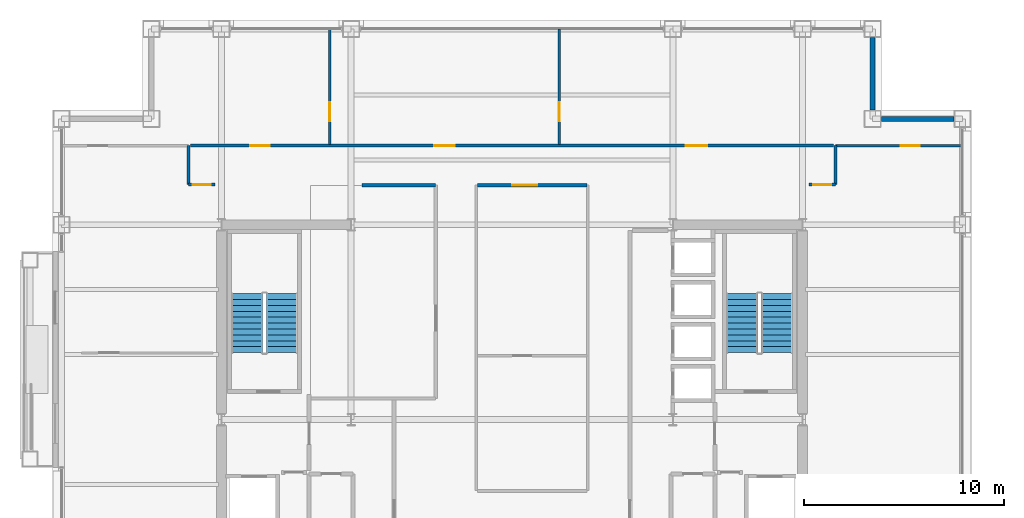
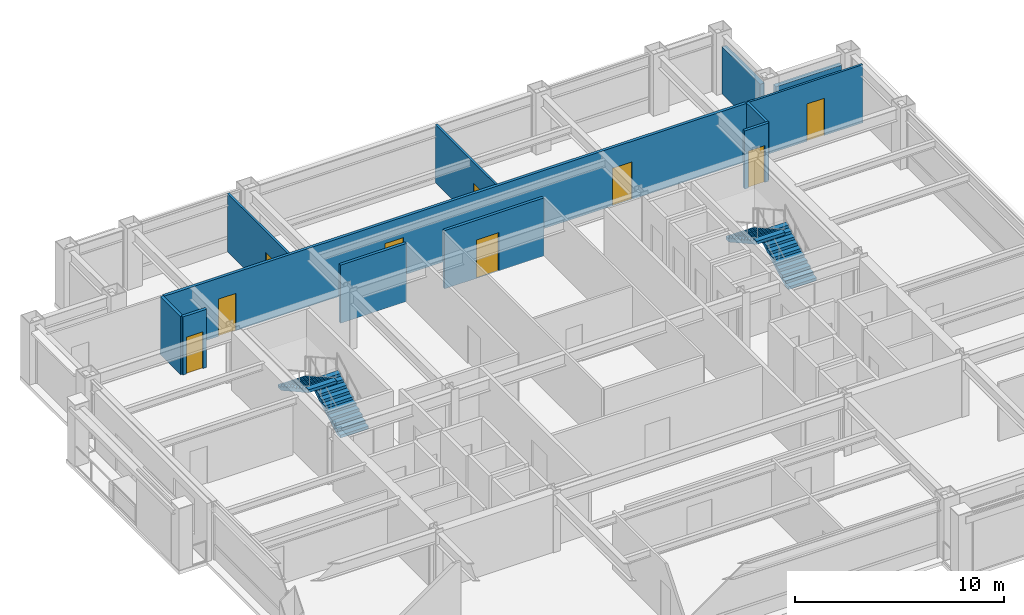
# One storey, part 28 of 31: 12 walls, 9 doors, 4 stair flights, 9 openings, 2 elements without a shape of their own.
"""IFC4 building model written with IfcOpenShell, lengths in metres."""

from ifc_helpers import new_model, si_unit, direction, frame, frame_2d, origin, place, context, subcontext, project, spatial, polyline, rectangle, outline, extrude, material, layer, layer_set, type_object, element, fill, aggregate, save


model = new_model("IFC4")

# Units and contexts
model_context = context("Model", 3, precision=1e-05, world=origin(), true_north=direction((0.0, 1.0)))
body_context = subcontext(model_context, "Body", "Model", "MODEL_VIEW")
ifc_project = project(units=[si_unit("LENGTHUNIT", "METRE"), si_unit("AREAUNIT", "SQUARE_METRE"), si_unit("VOLUMEUNIT", "CUBIC_METRE"), si_unit("PLANEANGLEUNIT", "RADIAN"), si_unit("MASSUNIT", "GRAM", prefix="KILO")], contexts=[model_context])

# Site, building, storey
site_placement = place(None, origin())
site = spatial("IfcSite", under=ifc_project, at=site_placement, CompositionType="ELEMENT")
building_placement = place(site_placement, origin())
building = spatial("IfcBuilding", under=site, at=building_placement, Name="Brelmoor Portico Tower", CompositionType="ELEMENT")
storey_placement = place(building_placement, frame((0.0, 0.0, 113.39990234375)))
storey = spatial("IfcBuildingStorey", under=building, at=storey_placement, Name="L29", CompositionType="ELEMENT", Elevation=113.39990234375)

# Walls
ifc_material_1 = material(Name="Precast Concrete C40 Insulated Facade Wall", Category="concrete")
ifc_layer_1 = layer(ifc_material_1, 0.25)
ifc_layer_set_1 = layer_set([ifc_layer_1], Name="Precast Concrete C40 Insulated Facade Wall")
wall_type_1 = type_object("IfcWallType", Name="WL-EXT-250", PredefinedType="STANDARD", material=ifc_layer_set_1)
for number, where, z_axis, x_axis, name in (
    (1, (18.485107421875, 15.050048828125, 0.0), (0.0, 0.0, 1.0), (1.0, 0.0, 0.0), "L29 Corner Notch Facade Wall NNEH1"),
    (2, (18.050048828125, 15.485107421875, 0.0), (0.0, 0.0, 1.0), (0.0, 1.0, 0.0), "L29 Corner Notch Facade Wall NNEV1"),
):
    element("IfcWall", number, at=place(storey_placement, frame(where, z_axis=z_axis, x_axis=x_axis)), inside=storey, type_object=wall_type_1, Name=name, PredefinedType="STANDARD", context=body_context, shape_type="SweptSolid", body=[
        extrude(rectangle(XDim=3.6298828125, YDim=0.25, at=frame_2d((1.81494140625, 0.0))), origin(), (0.0, 0.0, 1.0), 2.75),
    ])

# Wall, opening, door
ifc_material_2 = material(Name="Lightweight Gypsum Office Partition", Category="gypsum")
ifc_layer_2 = layer(ifc_material_2, 0.1201171875)
ifc_layer_set_2 = layer_set([ifc_layer_2], Name="Lightweight Gypsum Office Partition")
wall_type_2 = type_object("IfcWallType", Name="WL-PART-120", PredefinedType="PARTITIONING", material=ifc_layer_set_2)
wall_1_placement = place(storey_placement, frame((-9.13134765625, 13.77001953125, 0.0), z_axis=(0.0, 0.0, 1.0), x_axis=(0.0, 1.0, 0.0)))
wall_1 = element("IfcWall", 3, at=wall_1_placement, inside=storey, type_object=wall_type_2, Name="L29 North Suite Partition 1", PredefinedType="PARTITIONING", context=body_context, shape_type="SweptSolid", body=[
    extrude(rectangle(XDim=5.7900390625, YDim=0.1201171875, at=frame_2d((2.89501953125, 0.0))), origin(), (0.0, 0.0, 1.0), 3.400146484375),
])
opening_1_placement = place(wall_1_placement, frame((1.14990234375, 0.0, 0.0)))
opening_1 = element("IfcOpeningElement", 4, at=opening_1_placement, cuts=wall_1, Name="Opening D-IN2", PredefinedType="OPENING", context=body_context, shape_type="SweptSolid", body=[
    extrude(rectangle(XDim=0.9599609375, YDim=2.179931640625, at=frame_2d((0.47998046875, 1.08984375))), frame((0.0, 0.070068359375, 0.0), z_axis=(0.0, -1.0, 0.0), x_axis=(1.0, 0.0, 0.0)), (0.0, 0.0, 1.0), 0.14013671875),
])
ifc_material_3 = material(Name="Lacquered Timber Suite Door", Category="wood")
door_type_1 = type_object("IfcDoorType", Name="DR-INT-950", OperationType="NOTDEFINED", PredefinedType="DOOR", material=ifc_material_3)
door_1_placement = place(opening_1_placement, origin())
door_1 = element("IfcDoor", 5, at=door_1_placement, inside=storey, type_object=door_type_1, Name="D-1283 L29 North Suite Connecting Door 1", OperationType="SINGLE_SWING_RIGHT", OverallHeight=2.179931640625, OverallWidth=0.9599609375, PredefinedType="DOOR", context=body_context, shape_type="SweptSolid", body=[
    extrude(rectangle(XDim=0.9599609375, YDim=2.179931640625, at=frame_2d((0.47998046875, 1.08984375))), frame((0.0, 0.02490234375, 0.0), z_axis=(0.0, -1.0, 0.0), x_axis=(1.0, 0.0, 0.0)), (0.0, 0.0, 1.0), 0.050048828125),
])
fill(opening_1, door_1)

wall_2_placement = place(storey_placement, frame((2.367431640625, 13.77001953125, 0.0), z_axis=(0.0, 0.0, 1.0), x_axis=(0.0, 1.0, 0.0)))
wall_2 = element("IfcWall", 6, at=wall_2_placement, inside=storey, type_object=wall_type_2, Name="L29 North Suite Partition 2", PredefinedType="PARTITIONING", context=body_context, shape_type="SweptSolid", body=[
    extrude(rectangle(XDim=5.7900390625, YDim=0.1201171875, at=frame_2d((2.89501953125, 0.0))), origin(), (0.0, 0.0, 1.0), 3.400146484375),
])
opening_2_placement = place(wall_2_placement, frame((1.14990234375, 0.0, 0.0)))
opening_2 = element("IfcOpeningElement", 7, at=opening_2_placement, cuts=wall_2, Name="Opening D-IN2", PredefinedType="OPENING", context=body_context, shape_type="SweptSolid", body=[
    extrude(rectangle(XDim=0.9599609375, YDim=2.179931640625, at=frame_2d((0.47998046875, 1.08984375))), frame((0.0, 0.070068359375, 0.0), z_axis=(0.0, -1.0, 0.0), x_axis=(1.0, 0.0, 0.0)), (0.0, 0.0, 1.0), 0.14013671875),
])
door_2_placement = place(opening_2_placement, origin())
door_2 = element("IfcDoor", 8, at=door_2_placement, inside=storey, type_object=door_type_1, Name="D-1284 L29 North Suite Connecting Door 2", OperationType="SINGLE_SWING_LEFT", OverallHeight=2.179931640625, OverallWidth=0.9599609375, PredefinedType="DOOR", context=body_context, shape_type="SweptSolid", body=[
    extrude(rectangle(XDim=0.9599609375, YDim=2.179931640625, at=frame_2d((0.47998046875, 1.08984375))), frame((0.0, 0.02490234375, 0.0), z_axis=(0.0, -1.0, 0.0), x_axis=(1.0, 0.0, 0.0)), (0.0, 0.0, 1.0), 0.050048828125),
])
fill(opening_2, door_2)

wall_3_placement = place(storey_placement, frame((16.199951171875, 13.7099609375, 0.0), z_axis=(0.0, 0.0, 1.0), x_axis=(1.0, 0.0, 0.0)))
wall_3 = element("IfcWall", 9, at=wall_3_placement, inside=storey, type_object=wall_type_2, Name="L29 North Wing Closure ER", PredefinedType="PARTITIONING", context=body_context, shape_type="SweptSolid", body=[
    extrude(rectangle(XDim=6.360107421875, YDim=0.1201171875, at=frame_2d((3.18017578125, 0.0))), origin(), (0.0, 0.0, 1.0), 3.400146484375),
])
opening_3_placement = place(wall_3_placement, frame((3.260009765625, 0.0, 0.0)))
opening_3 = element("IfcOpeningElement", 10, at=opening_3_placement, cuts=wall_3, Name="Opening D-IN2", PredefinedType="OPENING", context=body_context, shape_type="SweptSolid", body=[
    extrude(rectangle(XDim=0.9599609375, YDim=2.179931640625, at=frame_2d((0.47998046875, 1.08984375))), frame((0.0, 0.070068359375, 0.0), z_axis=(0.0, -1.0, 0.0), x_axis=(1.0, 0.0, 0.0)), (0.0, 0.0, 1.0), 0.14013671875),
])
door_3_placement = place(opening_3_placement, origin())
door_3 = element("IfcDoor", 11, at=door_3_placement, inside=storey, type_object=door_type_1, Name="D-1285 L29 ER Wing North Suite Door", OperationType="SINGLE_SWING_RIGHT", OverallHeight=2.179931640625, OverallWidth=0.9599609375, PredefinedType="DOOR", context=body_context, shape_type="SweptSolid", body=[
    extrude(rectangle(XDim=0.9599609375, YDim=2.179931640625, at=frame_2d((0.47998046875, 1.08984375))), frame((0.0, 0.02490234375, 0.0), z_axis=(0.0, -1.0, 0.0), x_axis=(1.0, 0.0, 0.0)), (0.0, 0.0, 1.0), 0.050048828125),
])
fill(opening_3, door_3)

# Wall
ifc_material_4 = material(Name="Twin-Frame Acoustic Partition", Category="gypsum")
ifc_layer_3 = layer(ifc_material_4, 0.159912109375)
ifc_layer_set_3 = layer_set([ifc_layer_3], Name="Twin-Frame Acoustic Partition")
wall_type_3 = type_object("IfcWallType", Name="WL-PART-160", PredefinedType="PARTITIONING", material=ifc_layer_set_3)
wall_4_placement = place(storey_placement, frame((-7.5, 11.72998046875, 0.0), z_axis=(0.0, 0.0, 1.0), x_axis=(1.0, 0.0, 0.0)))
element("IfcWall", 12, at=wall_4_placement, inside=storey, type_object=wall_type_3, Name="L29 Reclaimed West Suite North Wall", PredefinedType="PARTITIONING", context=body_context, shape_type="SweptSolid", body=[
    extrude(rectangle(XDim=3.659912109375, YDim=0.159912109375, at=frame_2d((1.830078125, 0.0))), origin(), (0.0, 0.0, 1.0), 3.400146484375),
])

# Wall, opening, door
wall_5_placement = place(storey_placement, frame((-1.72998046875, 11.72998046875, 0.0), z_axis=(0.0, 0.0, 1.0), x_axis=(1.0, 0.0, 0.0)))
wall_5 = element("IfcWall", 13, at=wall_5_placement, inside=storey, type_object=wall_type_3, Name="L29 Central Meeting North Wall", PredefinedType="PARTITIONING", context=body_context, shape_type="SweptSolid", body=[
    extrude(rectangle(XDim=5.47998046875, YDim=0.159912109375, at=frame_2d((2.739990234375, 0.0))), origin(), (0.0, 0.0, 1.0), 3.400146484375),
])
opening_4_placement = place(wall_5_placement, frame((1.75, 0.0, 0.0)))
opening_4 = element("IfcOpeningElement", 14, at=opening_4_placement, cuts=wall_5, Name="Opening D-SU1", PredefinedType="OPENING", context=body_context, shape_type="SweptSolid", body=[
    extrude(rectangle(XDim=1.239990234375, YDim=2.239990234375, at=frame_2d((0.6201171875, 1.1201171875))), frame((0.0, 0.08984375, 0.0), z_axis=(0.0, -1.0, 0.0), x_axis=(1.0, 0.0, 0.0)), (0.0, 0.0, 1.0), 0.179931640625),
])
ifc_material_5 = material(Name="Glazed Timber Executive Suite Door", Category="wood")
door_type_2 = type_object("IfcDoorType", Name="DR-SUITE-1200", OperationType="NOTDEFINED", PredefinedType="DOOR", material=ifc_material_5)
door_4_placement = place(opening_4_placement, origin())
door_4 = element("IfcDoor", 15, at=door_4_placement, inside=storey, type_object=door_type_2, Name="D-1266 L29 Client Meeting Room Door", OperationType="SINGLE_SWING_LEFT", OverallHeight=2.239990234375, OverallWidth=1.239990234375, PredefinedType="DOOR", context=body_context, shape_type="SweptSolid", body=[
    extrude(rectangle(XDim=1.239990234375, YDim=2.239990234375, at=frame_2d((0.6201171875, 1.1201171875))), frame((0.0, 0.02490234375, 0.0), z_axis=(0.0, -1.0, 0.0), x_axis=(1.0, 0.0, 0.0)), (0.0, 0.0, 1.0), 0.050048828125),
])
fill(opening_4, door_4)

# Wall, openings, doors
wall_6_placement = place(storey_placement, frame((-16.10009765625, 13.7099609375, 0.0), z_axis=(0.0, 0.0, 1.0), x_axis=(1.0, 0.0, 0.0)))
wall_6 = element("IfcWall", 16, at=wall_6_placement, inside=storey, type_object=wall_type_3, Name="L29 North Corridor Partition", PredefinedType="PARTITIONING", context=body_context, shape_type="SweptSolid", body=[
    extrude(rectangle(XDim=32.2001953125, YDim=0.159912109375, at=frame_2d((16.10009765625, 0.0))), origin(), (0.0, 0.0, 1.0), 3.400146484375),
])
opening_5_placement = place(wall_6_placement, frame((3.00439453125, 0.0, 0.0)))
opening_5 = element("IfcOpeningElement", 17, at=opening_5_placement, cuts=wall_6, Name="Opening D-IN2", PredefinedType="OPENING", context=body_context, shape_type="SweptSolid", body=[
    extrude(rectangle(XDim=0.9599609375, YDim=2.179931640625, at=frame_2d((0.47998046875, 1.08984375))), frame((0.0, 0.08984375, 0.0), z_axis=(0.0, -1.0, 0.0), x_axis=(1.0, 0.0, 0.0)), (0.0, 0.0, 1.0), 0.179931640625),
])
opening_6_placement = place(wall_6_placement, frame((12.2080078125, 0.0, 0.0)))
opening_6 = element("IfcOpeningElement", 18, at=opening_6_placement, cuts=wall_6, Name="Opening D-OF1", PredefinedType="OPENING", context=body_context, shape_type="SweptSolid", body=[
    extrude(rectangle(XDim=1.02001953125, YDim=2.199951171875, at=frame_2d((0.510009765625, 1.10009765625))), frame((0.0, 0.08984375, 0.0), z_axis=(0.0, -1.0, 0.0), x_axis=(1.0, 0.0, 0.0)), (0.0, 0.0, 1.0), 0.179931640625),
])
opening_7_placement = place(wall_6_placement, frame((24.8037109375, 0.0, 0.0)))
opening_7 = element("IfcOpeningElement", 19, at=opening_7_placement, cuts=wall_6, Name="Opening D-OF2", PredefinedType="OPENING", context=body_context, shape_type="SweptSolid", body=[
    extrude(rectangle(XDim=1.06005859375, YDim=2.199951171875, at=frame_2d((0.530029296875, 1.10009765625))), frame((0.0, 0.08984375, 0.0), z_axis=(0.0, -1.0, 0.0), x_axis=(1.0, 0.0, 0.0)), (0.0, 0.0, 1.0), 0.179931640625),
])
door_5_placement = place(opening_5_placement, origin())
door_5 = element("IfcDoor", 20, at=door_5_placement, inside=storey, type_object=door_type_1, Name="D-1280 L29 North Open-Plan Office 1 Door", OperationType="SINGLE_SWING_RIGHT", OverallHeight=2.179931640625, OverallWidth=0.9599609375, PredefinedType="DOOR", context=body_context, shape_type="SweptSolid", body=[
    extrude(rectangle(XDim=0.9599609375, YDim=2.179931640625, at=frame_2d((0.47998046875, 1.08984375))), frame((0.0, 0.02490234375, 0.0), z_axis=(0.0, -1.0, 0.0), x_axis=(1.0, 0.0, 0.0)), (0.0, 0.0, 1.0), 0.050048828125),
])
fill(opening_5, door_5)
ifc_material_6 = material(Name="Hardwood Acoustic Veneer Door", Category="wood")
door_type_3 = type_object("IfcDoorType", Name="DR-OFFICE-1000", OperationType="NOTDEFINED", PredefinedType="DOOR", material=ifc_material_6)
door_6_placement = place(opening_6_placement, origin())
door_6 = element("IfcDoor", 21, at=door_6_placement, inside=storey, type_object=door_type_3, Name="D-1281 L29 North Cellular Office 2 Door", OperationType="SINGLE_SWING_LEFT", OverallHeight=2.199951171875, OverallWidth=1.02001953125, PredefinedType="DOOR", context=body_context, shape_type="SweptSolid", body=[
    extrude(rectangle(XDim=1.02001953125, YDim=2.199951171875, at=frame_2d((0.510009765625, 1.10009765625))), frame((0.0, 0.02490234375, 0.0), z_axis=(0.0, -1.0, 0.0), x_axis=(1.0, 0.0, 0.0)), (0.0, 0.0, 1.0), 0.050048828125),
])
fill(opening_6, door_6)
door_type_4 = type_object("IfcDoorType", Name="DR-OFFICE-1050", OperationType="NOTDEFINED", PredefinedType="DOOR", material=ifc_material_6)
door_7_placement = place(opening_7_placement, origin())
door_7 = element("IfcDoor", 22, at=door_7_placement, inside=storey, type_object=door_type_4, Name="D-1282 L29 North Technical Archive Store 3 Door", OperationType="SINGLE_SWING_RIGHT", OverallHeight=2.199951171875, OverallWidth=1.06005859375, PredefinedType="DOOR", context=body_context, shape_type="SweptSolid", body=[
    extrude(rectangle(XDim=1.06005859375, YDim=2.199951171875, at=frame_2d((0.530029296875, 1.10009765625))), frame((0.0, 0.02490234375, 0.0), z_axis=(0.0, -1.0, 0.0), x_axis=(1.0, 0.0, 0.0)), (0.0, 0.0, 1.0), 0.050048828125),
])
fill(opening_7, door_7)

# Wall, opening, door
wall_7_placement = place(storey_placement, frame((-16.199951171875, 11.760009765625, 0.0), z_axis=(0.0, 0.0, 1.0), x_axis=(1.0, 0.0, 0.0)))
wall_7 = element("IfcWall", 23, at=wall_7_placement, inside=storey, type_object=wall_type_3, Name="L29 W Wing North Entry Wall", PredefinedType="PARTITIONING", context=body_context, shape_type="SweptSolid", body=[
    extrude(rectangle(XDim=1.320068359375, YDim=0.159912109375, at=frame_2d((0.66015625, 0.0))), origin(), (0.0, 0.0, 1.0), 3.400146484375),
])
opening_8_placement = place(wall_7_placement, frame((0.2099609375, 0.0, 0.0)))
opening_8 = element("IfcOpeningElement", 24, at=opening_8_placement, cuts=wall_7, Name="Opening D-IN1", PredefinedType="OPENING", context=body_context, shape_type="SweptSolid", body=[
    extrude(rectangle(XDim=0.89990234375, YDim=2.14990234375, at=frame_2d((0.449951171875, 1.074951171875))), frame((0.0, 0.08984375, 0.0), z_axis=(0.0, -1.0, 0.0), x_axis=(1.0, 0.0, 0.0)), (0.0, 0.0, 1.0), 0.179931640625),
])
door_type_5 = type_object("IfcDoorType", Name="DR-INT-900", OperationType="NOTDEFINED", PredefinedType="DOOR", material=ifc_material_3)
door_8_placement = place(opening_8_placement, origin())
door_8 = element("IfcDoor", 25, at=door_8_placement, inside=storey, type_object=door_type_5, Name="D-1301 L29 W Wing Entry Door", OperationType="SINGLE_SWING_RIGHT", OverallHeight=2.14990234375, OverallWidth=0.89990234375, PredefinedType="DOOR", context=body_context, shape_type="SweptSolid", body=[
    extrude(rectangle(XDim=0.89990234375, YDim=2.14990234375, at=frame_2d((0.449951171875, 1.074951171875))), frame((0.0, 0.02490234375, 0.0), z_axis=(0.0, -1.0, 0.0), x_axis=(1.0, 0.0, 0.0)), (0.0, 0.0, 1.0), 0.050048828125),
])
fill(opening_8, door_8)

# Wall
wall_8_placement = place(storey_placement, frame((-16.199951171875, 11.760009765625, 0.0), z_axis=(0.0, 0.0, 1.0), x_axis=(0.0, 1.0, 0.0)))
element("IfcWall", 26, at=wall_8_placement, inside=storey, type_object=wall_type_3, Name="L29 W Corridor End Closure", PredefinedType="PARTITIONING", context=body_context, shape_type="SweptSolid", body=[
    extrude(rectangle(XDim=1.949951171875, YDim=0.159912109375, at=frame_2d((0.97509765625, 0.0))), origin(), (0.0, 0.0, 1.0), 3.400146484375),
])

# Wall, opening, door
wall_9_placement = place(storey_placement, frame((14.8798828125, 11.760009765625, 0.0), z_axis=(0.0, 0.0, 1.0), x_axis=(1.0, 0.0, 0.0)))
wall_9 = element("IfcWall", 27, at=wall_9_placement, inside=storey, type_object=wall_type_3, Name="L29 E Wing North Entry Wall", PredefinedType="PARTITIONING", context=body_context, shape_type="SweptSolid", body=[
    extrude(rectangle(XDim=1.320068359375, YDim=0.159912109375, at=frame_2d((0.66015625, 0.0))), origin(), (0.0, 0.0, 1.0), 3.400146484375),
])
opening_9_placement = place(wall_9_placement, frame((0.2099609375, 0.0, 0.0)))
opening_9 = element("IfcOpeningElement", 28, at=opening_9_placement, cuts=wall_9, Name="Opening D-IN1", PredefinedType="OPENING", context=body_context, shape_type="SweptSolid", body=[
    extrude(rectangle(XDim=0.89990234375, YDim=2.14990234375, at=frame_2d((0.449951171875, 1.074951171875))), frame((0.0, 0.08984375, 0.0), z_axis=(0.0, -1.0, 0.0), x_axis=(1.0, 0.0, 0.0)), (0.0, 0.0, 1.0), 0.179931640625),
])
door_9_placement = place(opening_9_placement, origin())
door_9 = element("IfcDoor", 29, at=door_9_placement, inside=storey, type_object=door_type_5, Name="D-1300 L29 E Wing Entry Door", OperationType="SINGLE_SWING_LEFT", OverallHeight=2.14990234375, OverallWidth=0.89990234375, PredefinedType="DOOR", context=body_context, shape_type="SweptSolid", body=[
    extrude(rectangle(XDim=0.89990234375, YDim=2.14990234375, at=frame_2d((0.449951171875, 1.074951171875))), frame((0.0, 0.02490234375, 0.0), z_axis=(0.0, -1.0, 0.0), x_axis=(1.0, 0.0, 0.0)), (0.0, 0.0, 1.0), 0.050048828125),
])
fill(opening_9, door_9)

# Wall
wall_10_placement = place(storey_placement, frame((16.199951171875, 11.760009765625, 0.0), z_axis=(0.0, 0.0, 1.0), x_axis=(0.0, 1.0, 0.0)))
element("IfcWall", 30, at=wall_10_placement, inside=storey, type_object=wall_type_3, Name="L29 E Corridor End Closure", PredefinedType="PARTITIONING", context=body_context, shape_type="SweptSolid", body=[
    extrude(rectangle(XDim=1.949951171875, YDim=0.159912109375, at=frame_2d((0.97509765625, 0.0))), origin(), (0.0, 0.0, 1.0), 3.400146484375),
])

# Stair, stair flights
ifc_material_7 = material(Name="Concrete C40", Category="concrete")
stair_type_1 = type_object("IfcStairType", Name="ST-CORE-W", PredefinedType="HALF_TURN_STAIR", material=ifc_material_7)
stair_1_placement = place(storey_placement, origin())
stair_1 = element("IfcStair", 31, at=stair_1_placement, inside=storey, type_object=stair_type_1, Name="L29 Protected Core Exit Stair ST-W", PredefinedType="HALF_TURN_STAIR")
stair_flight_type = type_object("IfcStairFlightType", Name="SF-CORE-1850", PredefinedType="STRAIGHT", material=ifc_material_7)
stair_flight_1_placement = place(storey_placement, frame((-11.510009765625, 3.35009765625, 0.0), z_axis=(0.0, 0.0, 1.0), x_axis=(0.0, 1.0, 0.0)))
stair_flight_1 = element("IfcStairFlight", 32, at=stair_flight_1_placement, type_object=stair_flight_type, Name="ST-W flight 1", NumberOfRisers=11, NumberOfTreads=10, PredefinedType="STRAIGHT", RiserHeight=0.163636364, TreadLength=0.295, context=body_context, shape_type="SweptSolid", body=[
    extrude(outline(polyline([(0.0, 0.0), (0.0, 0.16357421875), (0.294921875, 0.16357421875), (0.294921875, 0.327392578125), (0.590087890625, 0.327392578125), (0.590087890625, 0.490966796875), (0.885009765625, 0.490966796875), (0.885009765625, 0.654541015625), (1.179931640625, 0.654541015625), (1.179931640625, 0.818115234375), (1.47509765625, 0.818115234375), (1.47509765625, 0.98193359375), (1.77001953125, 0.98193359375), (1.77001953125, 1.1455078125), (2.06494140625, 1.1455078125), (2.06494140625, 1.30908203125), (2.360107421875, 1.30908203125), (2.360107421875, 1.47265625), (2.655029296875, 1.47265625), (2.655029296875, 1.636474609375), (2.949951171875, 1.636474609375), (2.949951171875, 1.800048828125), (2.949951171875, 1.46484375), (0.30908203125, 0.0), (0.0, 0.0)])), frame((0.0, 0.780029296875, 0.0), z_axis=(0.0, -1.0, 0.0), x_axis=(1.0, 0.0, 0.0)), (0.0, 0.0, 1.0), 1.56005859375),
])
stair_flight_2_placement = place(storey_placement, frame((-13.27001953125, 6.300048828125, 1.800048828125), z_axis=(0.0, 0.0, 1.0), x_axis=(0.0, -1.0, 0.0)))
stair_flight_2 = element("IfcStairFlight", 33, at=stair_flight_2_placement, type_object=stair_flight_type, Name="ST-W flight 2", NumberOfRisers=11, NumberOfTreads=10, PredefinedType="STRAIGHT", RiserHeight=0.163636364, TreadLength=0.295, context=body_context, shape_type="SweptSolid", body=[
    extrude(outline(polyline([(0.0, 0.0), (0.0, 0.16357421875), (0.294921875, 0.16357421875), (0.294921875, 0.327392578125), (0.590087890625, 0.327392578125), (0.590087890625, 0.490966796875), (0.885009765625, 0.490966796875), (0.885009765625, 0.654541015625), (1.179931640625, 0.654541015625), (1.179931640625, 0.818115234375), (1.47509765625, 0.818115234375), (1.47509765625, 0.98193359375), (1.77001953125, 0.98193359375), (1.77001953125, 1.1455078125), (2.06494140625, 1.1455078125), (2.06494140625, 1.30908203125), (2.360107421875, 1.30908203125), (2.360107421875, 1.47265625), (2.655029296875, 1.47265625), (2.655029296875, 1.636474609375), (2.949951171875, 1.636474609375), (2.949951171875, 1.800048828125), (2.949951171875, 1.46484375), (0.30908203125, 0.0), (0.0, 0.0)])), frame((0.0, 0.780029296875, 0.0), z_axis=(0.0, -1.0, 0.0), x_axis=(1.0, 0.0, 0.0)), (0.0, 0.0, 1.0), 1.56005859375),
])
aggregate(stair_1, [stair_flight_1, stair_flight_2])

stair_type_2 = type_object("IfcStairType", Name="ST-CORE-E", PredefinedType="HALF_TURN_STAIR", material=ifc_material_7)
stair_2_placement = place(storey_placement, origin())
stair_2 = element("IfcStair", 34, at=stair_2_placement, inside=storey, type_object=stair_type_2, Name="L29 Protected Core Exit Stair ST-E", PredefinedType="HALF_TURN_STAIR")
stair_flight_3_placement = place(storey_placement, frame((13.27001953125, 3.35009765625, 0.0), z_axis=(0.0, 0.0, 1.0), x_axis=(0.0, 1.0, 0.0)))
stair_flight_3 = element("IfcStairFlight", 35, at=stair_flight_3_placement, type_object=stair_flight_type, Name="ST-E flight 1", NumberOfRisers=11, NumberOfTreads=10, PredefinedType="STRAIGHT", RiserHeight=0.163636364, TreadLength=0.295, context=body_context, shape_type="SweptSolid", body=[
    extrude(outline(polyline([(0.0, 0.0), (0.0, 0.16357421875), (0.294921875, 0.16357421875), (0.294921875, 0.327392578125), (0.590087890625, 0.327392578125), (0.590087890625, 0.490966796875), (0.885009765625, 0.490966796875), (0.885009765625, 0.654541015625), (1.179931640625, 0.654541015625), (1.179931640625, 0.818115234375), (1.47509765625, 0.818115234375), (1.47509765625, 0.98193359375), (1.77001953125, 0.98193359375), (1.77001953125, 1.1455078125), (2.06494140625, 1.1455078125), (2.06494140625, 1.30908203125), (2.360107421875, 1.30908203125), (2.360107421875, 1.47265625), (2.655029296875, 1.47265625), (2.655029296875, 1.636474609375), (2.949951171875, 1.636474609375), (2.949951171875, 1.800048828125), (2.949951171875, 1.46484375), (0.30908203125, 0.0), (0.0, 0.0)])), frame((0.0, 0.780029296875, 0.0), z_axis=(0.0, -1.0, 0.0), x_axis=(1.0, 0.0, 0.0)), (0.0, 0.0, 1.0), 1.56005859375),
])
stair_flight_4_placement = place(storey_placement, frame((11.510009765625, 6.300048828125, 1.800048828125), z_axis=(0.0, 0.0, 1.0), x_axis=(0.0, -1.0, 0.0)))
stair_flight_4 = element("IfcStairFlight", 36, at=stair_flight_4_placement, type_object=stair_flight_type, Name="ST-E flight 2", NumberOfRisers=11, NumberOfTreads=10, PredefinedType="STRAIGHT", RiserHeight=0.163636364, TreadLength=0.295, context=body_context, shape_type="SweptSolid", body=[
    extrude(outline(polyline([(0.0, 0.0), (0.0, 0.16357421875), (0.294921875, 0.16357421875), (0.294921875, 0.327392578125), (0.590087890625, 0.327392578125), (0.590087890625, 0.490966796875), (0.885009765625, 0.490966796875), (0.885009765625, 0.654541015625), (1.179931640625, 0.654541015625), (1.179931640625, 0.818115234375), (1.47509765625, 0.818115234375), (1.47509765625, 0.98193359375), (1.77001953125, 0.98193359375), (1.77001953125, 1.1455078125), (2.06494140625, 1.1455078125), (2.06494140625, 1.30908203125), (2.360107421875, 1.30908203125), (2.360107421875, 1.47265625), (2.655029296875, 1.47265625), (2.655029296875, 1.636474609375), (2.949951171875, 1.636474609375), (2.949951171875, 1.800048828125), (2.949951171875, 1.46484375), (0.30908203125, 0.0), (0.0, 0.0)])), frame((0.0, 0.780029296875, 0.0), z_axis=(0.0, -1.0, 0.0), x_axis=(1.0, 0.0, 0.0)), (0.0, 0.0, 1.0), 1.56005859375),
])
aggregate(stair_2, [stair_flight_3, stair_flight_4])

save(model, "model.ifc")
